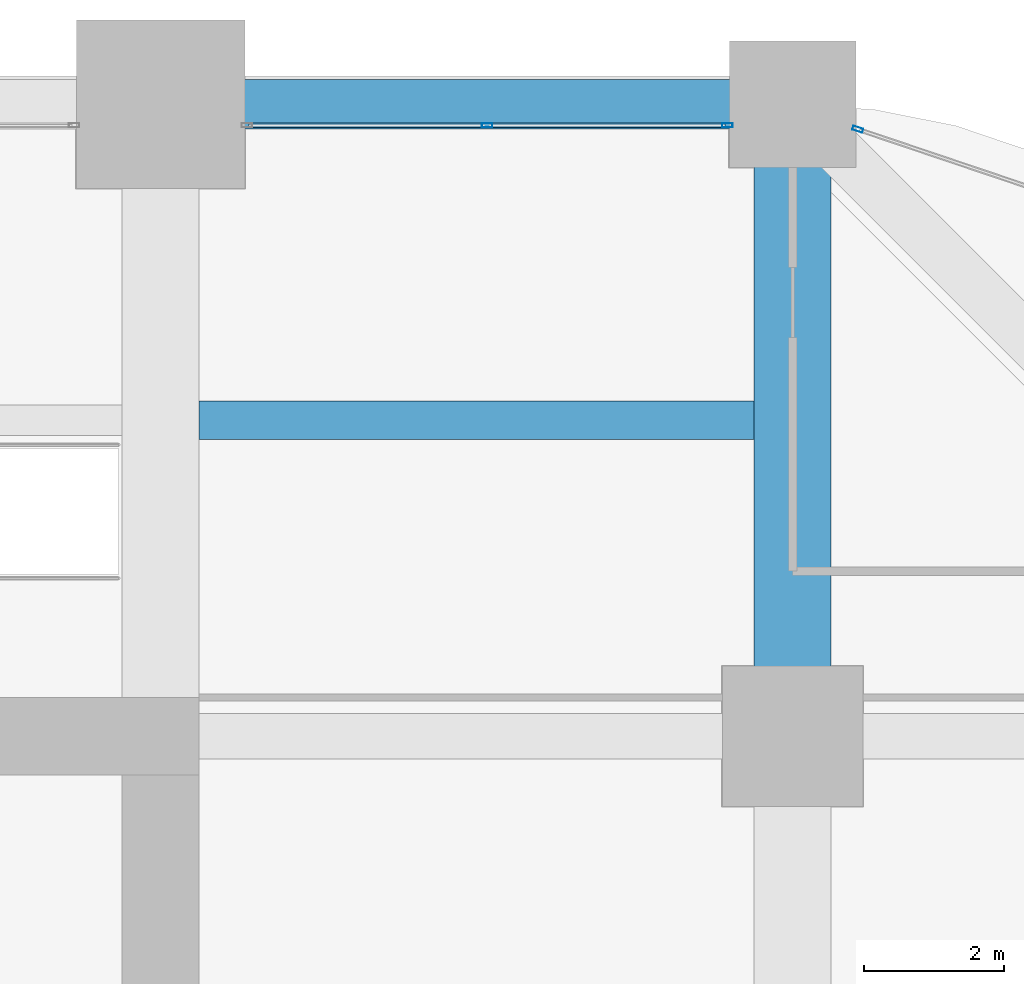
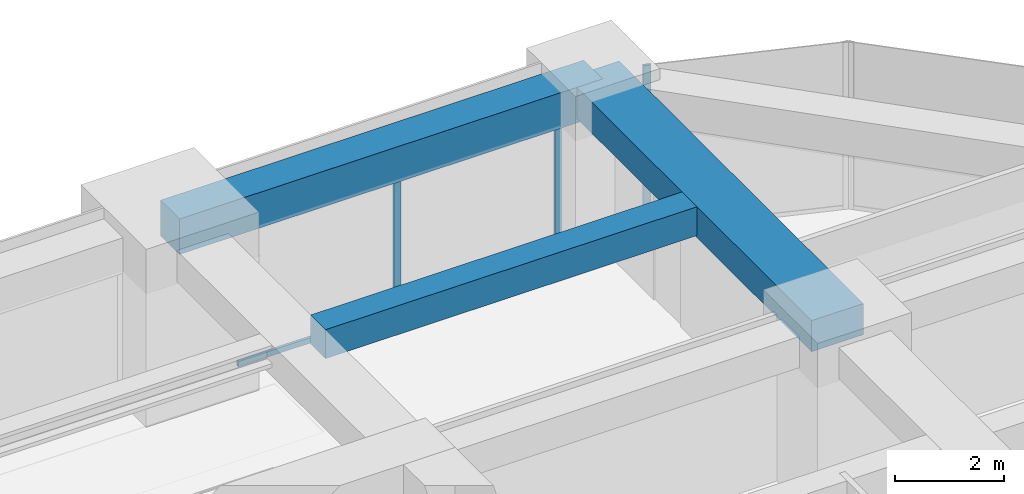
# One storey, part 33 of 41: 4 members, 3 beams, 2 elements without a shape of their own.
"""IFC4 building model written with IfcOpenShell, lengths in metres."""

from ifc_helpers import new_model, si_unit, direction, frame, origin, origin_2d, place, context, subcontext, project, spatial, rectangle, hollow_rectangle, extrude, material, material_profile, profile_set, type_object, element, aggregate, save


model = new_model("IFC4")

# Units and contexts
model_context = context("Model", 3, precision=1e-05, world=origin(), true_north=direction((0.0, 1.0)))
body_context = subcontext(model_context, "Body", "Model", "MODEL_VIEW")
ifc_project = project(units=[si_unit("LENGTHUNIT", "METRE"), si_unit("AREAUNIT", "SQUARE_METRE"), si_unit("VOLUMEUNIT", "CUBIC_METRE"), si_unit("PLANEANGLEUNIT", "RADIAN"), si_unit("MASSUNIT", "GRAM", prefix="KILO")], contexts=[model_context])

# Site, building, storey
site_placement = place(None, origin())
site = spatial("IfcSite", under=ifc_project, at=site_placement, CompositionType="ELEMENT")
building_placement = place(site_placement, origin())
building = spatial("IfcBuilding", under=site, at=building_placement, Name="Zorevar Civic Tower", CompositionType="ELEMENT")
storey_placement = place(building_placement, frame((0.0, 0.0, 101.0)))
storey = spatial("IfcBuildingStorey", under=building, at=storey_placement, Name="L24", CompositionType="ELEMENT", Elevation=101.0)

# Beams
ifc_material_1 = material(Name="Concrete C50/60", Category="concrete")
ifc_material_profile_1 = material_profile(ifc_material_1, rectangle(XDim=1.10009765625, YDim=0.699951171875, at=origin_2d()), Name="RC 1100x700")
ifc_profile_set_1 = profile_set([ifc_material_profile_1], Name="Concrete C50/60")
beam_type_1 = type_object("IfcBeamType", Name="Beam RC 1100x700", PredefinedType="BEAM", material=ifc_profile_set_1)
beam_1_placement = place(storey_placement, frame((54.0, 36.0, 3.39990234375), z_axis=(0.0, 1.0, 0.0), x_axis=(-1.0, 0.0, 0.0)))
element("IfcBeam", 1, at=beam_1_placement, inside=storey, type_object=beam_type_1, Name="Girder L25", PredefinedType="BEAM", context=body_context, shape_type="SweptSolid", body=[
    extrude(rectangle(XDim=1.10009765625, YDim=0.699951171875, at=origin_2d()), origin(), (0.0, 0.0, 1.0), 9.0),
])
ifc_material_2 = material(Name="Concrete C50/60", Category="concrete")
ifc_material_profile_2 = material_profile(ifc_material_2, rectangle(XDim=0.550048828125, YDim=0.64990234375, at=origin_2d()), Name="RC 550x650")
ifc_profile_set_2 = profile_set([ifc_material_profile_2], Name="Concrete C50/60")
beam_type_2 = type_object("IfcBeamType", Name="Beam RC 550x650", PredefinedType="BEAM", material=ifc_profile_set_2)
beam_2_placement = place(storey_placement, frame((45.550048828125, 40.5, 3.425048828125), z_axis=(1.0, 0.0, 0.0), x_axis=(0.0, 1.0, 0.0)))
element("IfcBeam", 2, at=beam_2_placement, inside=storey, type_object=beam_type_2, Name="Secondary beam L25", PredefinedType="BEAM", context=body_context, shape_type="SweptSolid", body=[
    extrude(rectangle(XDim=0.550048828125, YDim=0.64990234375, at=origin_2d()), origin(), (0.0, 0.0, 1.0), 7.89990234375),
])

# Curtain wall, members
ifc_material_3 = material(Name="Dark grey solar-control glass in black aluminium frame", Category="aluminium")
curtain_wall_type = type_object("IfcCurtainWallType", Name="Curtain wall CW3 mid zone", PredefinedType="NOTDEFINED", material=ifc_material_3)
curtain_wall_1_placement = place(storey_placement, origin())
curtain_wall_1 = element("IfcCurtainWall", 3, at=curtain_wall_1_placement, inside=storey, type_object=curtain_wall_type, Name="CW3 L24", PredefinedType="NOTDEFINED")
ifc_material_4 = material(Name="Aluminium, black anodised", Category="aluminium")
ifc_material_profile_3 = material_profile(ifc_material_4, hollow_rectangle(XDim=0.06005859375, YDim=0.14990234375, WallThickness=0.00390625, at=origin_2d()), Name="AL 150x60x4")
ifc_profile_set_3 = profile_set([ifc_material_profile_3], Name="Aluminium, black anodised")
member_type_1 = type_object("IfcMemberType", Name="CW3 mullion AL 150x60x4", PredefinedType="MULLION", material=ifc_profile_set_3)
member_1_placement = place(storey_placement, frame((49.64990234375, 44.699951171875, 0.06005859375), z_axis=(0.0, 0.0, 1.0), x_axis=(0.0, 1.0, 0.0)))
member_1 = element("IfcMember", 4, at=member_1_placement, type_object=member_type_1, Name="CW3 mullion 2", PredefinedType="MULLION", context=body_context, shape_type="SweptSolid", body=[
    extrude(hollow_rectangle(XDim=0.06005859375, YDim=0.14990234375, WallThickness=0.00390625, at=origin_2d()), origin(), (0.0, 0.0, 1.0), 2.889892578125),
])
member_2_placement = place(storey_placement, frame((53.070068359375, 44.699951171875, 0.0), z_axis=(0.0, 0.0, 1.0), x_axis=(0.0, 1.0, 0.0)))
member_2 = element("IfcMember", 5, at=member_2_placement, type_object=member_type_1, Name="CW3 mullion 3", PredefinedType="MULLION", context=body_context, shape_type="SweptSolid", body=[
    extrude(hollow_rectangle(XDim=0.06005859375, YDim=0.14990234375, WallThickness=0.00390625, at=origin_2d()), origin(), (0.0, 0.0, 1.0), 2.949951171875),
])

# Curtain wall, member
curtain_wall_2_placement = place(storey_placement, origin())
curtain_wall_2 = element("IfcCurtainWall", 6, at=curtain_wall_2_placement, inside=storey, type_object=curtain_wall_type, Name="CW3 L24", PredefinedType="NOTDEFINED")
member_3_placement = place(storey_placement, frame((54.928466796875, 44.643798828125, 0.0), z_axis=(0.0, 0.0, 1.0), x_axis=(-0.319412525043, -0.947615765406, 0.0)))
member_3 = element("IfcMember", 7, at=member_3_placement, type_object=member_type_1, Name="CW3 mullion 2", PredefinedType="MULLION", context=body_context, shape_type="SweptSolid", body=[
    extrude(hollow_rectangle(XDim=0.06005859375, YDim=0.14990234375, WallThickness=0.00390625, at=origin_2d()), origin(), (0.0, 0.0, 1.0), 3.75),
])
aggregate(curtain_wall_2, [member_3])

# Member
ifc_material_5 = material(Name="Aluminium, black anodised", Category="aluminium")
ifc_material_profile_4 = material_profile(ifc_material_5, hollow_rectangle(XDim=0.06005859375, YDim=0.1201171875, WallThickness=0.0029296875, at=origin_2d()), Name="AL 120x60x3")
ifc_profile_set_4 = profile_set([ifc_material_profile_4], Name="Aluminium, black anodised")
member_type_2 = type_object("IfcMemberType", Name="CW3 transom AL 120x60x3", PredefinedType="USERDEFINED", material=ifc_profile_set_4)
member_4_placement = place(storey_placement, frame((46.260009765625, 44.699951171875, 0.030029296875), z_axis=(1.0, 0.0, 0.0), x_axis=(0.0, 1.0, 0.0)))
member_4 = element("IfcMember", 8, at=member_4_placement, type_object=member_type_2, Name="CW3 sill transom", ObjectType="TRANSOM", PredefinedType="USERDEFINED", context=body_context, shape_type="SweptSolid", body=[
    extrude(hollow_rectangle(XDim=0.06005859375, YDim=0.1201171875, WallThickness=0.0029296875, at=origin_2d()), origin(), (0.0, 0.0, 1.0), 6.780029296875),
])

aggregate(curtain_wall_1, [member_1, member_2, member_4])

# Beam
ifc_material_6 = material(Name="Concrete C50/60", Category="concrete")
ifc_material_profile_5 = material_profile(ifc_material_6, rectangle(XDim=0.699951171875, YDim=0.800048828125, at=origin_2d()), Name="RC 700x800")
ifc_profile_set_5 = profile_set([ifc_material_profile_5], Name="Concrete C50/60")
beam_type_3 = type_object("IfcBeamType", Name="Edge beam RC 700x800", PredefinedType="SPANDREL", material=ifc_profile_set_5)
beam_3_placement = place(storey_placement, frame((45.0, 45.0, 3.35009765625), z_axis=(1.0, 0.0, 0.0), x_axis=(0.0, 1.0, 0.0)))
element("IfcBeam", 9, at=beam_3_placement, inside=storey, type_object=beam_type_3, Name="Edge beam L25", PredefinedType="SPANDREL", context=body_context, shape_type="SweptSolid", body=[
    extrude(rectangle(XDim=0.699951171875, YDim=0.800048828125, at=origin_2d()), origin(), (0.0, 0.0, 1.0), 9.0),
])

save(model, "model.ifc")
